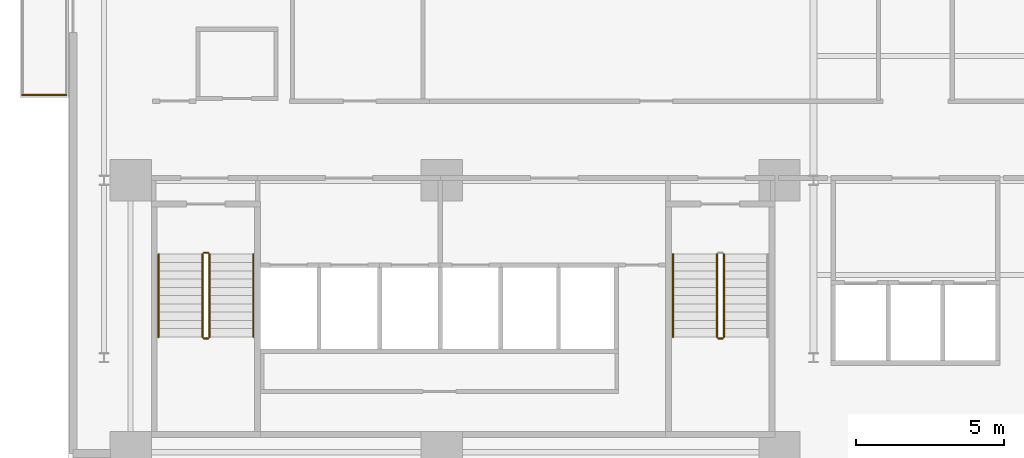
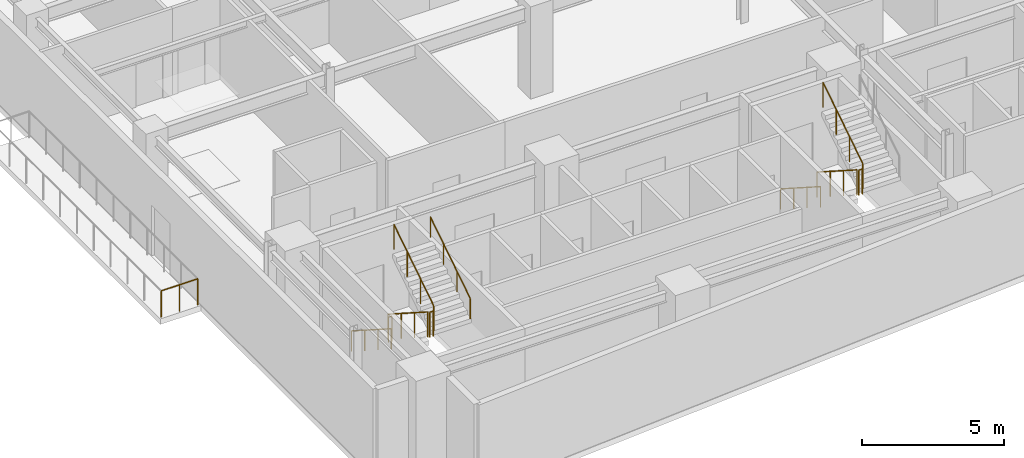
# One storey, part 17 of 22: 11 railings.
"""IFC4 building model written with IfcOpenShell, lengths in metres."""

from ifc_helpers import new_model, si_unit, direction, frame, origin, origin_2d, place, context, subcontext, project, spatial, circle, extrude, material, type_object, element, save


model = new_model("IFC4")

# Units and contexts
model_context = context("Model", 3, precision=1e-05, world=origin(), true_north=direction((0.0, 1.0)))
body_context = subcontext(model_context, "Body", "Model", "MODEL_VIEW")
ifc_project = project(units=[si_unit("LENGTHUNIT", "METRE"), si_unit("AREAUNIT", "SQUARE_METRE"), si_unit("VOLUMEUNIT", "CUBIC_METRE"), si_unit("PLANEANGLEUNIT", "RADIAN"), si_unit("MASSUNIT", "GRAM", prefix="KILO")], contexts=[model_context])

# Site, building, storey
site_placement = place(None, origin())
site = spatial("IfcSite", under=ifc_project, at=site_placement, CompositionType="ELEMENT")
building_placement = place(site_placement, origin())
building = spatial("IfcBuilding", under=site, at=building_placement, Name="Varnakote Quay Hospital", CompositionType="ELEMENT")
storey_placement = place(building_placement, frame((0.0, 0.0, 65.949951171875)))
storey = spatial("IfcBuildingStorey", under=building, at=storey_placement, Name="L16", CompositionType="ELEMENT", Elevation=65.949951171875)

# Railings
ifc_material_1 = material(Name="Anodised aluminium 6063-T6 Bronze", Category="aluminium")
railing_type_1 = type_object("IfcRailingType", Name="RLG-EXT-GUARD-1150", PredefinedType="GUARDRAIL", material=ifc_material_1)
railing_1_placement = place(storey_placement, frame((-0.075927734375, 14.8798828125, 0.0)))
element("IfcRailing", 1, at=railing_1_placement, inside=storey, type_object=railing_type_1, Name="L16 Zigzag Prow Healing Terrace Safety Guard", PredefinedType="GUARDRAIL", context=body_context, shape_type="SweptSolid", body=[
    extrude(circle(Radius=0.02392578125, at=origin_2d()), frame((0.0, 0.0, 1.1259765625), z_axis=(-1.0, 0.0, 0.0), x_axis=(0.0, -1.0, 0.0)), (0.0, 0.0, 1.0), 1.484130859375),
    extrude(circle(Radius=0.02099609375, at=origin_2d()), origin(), (0.0, 0.0, 1.0), 1.101806640625),
    extrude(circle(Radius=0.02099609375, at=origin_2d()), frame((-0.7421875, 0.0, 0.0)), (0.0, 0.0, 1.0), 1.101806640625),
    extrude(circle(Radius=0.02099609375, at=origin_2d()), frame((-1.484130859375, 0.0, 0.0)), (0.0, 0.0, 1.0), 1.101806640625),
])
ifc_material_2 = material(Name="Brushed stainless steel balustrade", Category="steel")
railing_type_2 = type_object("IfcRailingType", Name="RLG-STAIR-GUARD-1150", PredefinedType="GUARDRAIL", material=ifc_material_2)
railing_2_placement = place(storey_placement, frame((4.530029296875, 9.5, 0.1796875)))
element("IfcRailing", 2, at=railing_2_placement, inside=storey, type_object=railing_type_2, Name="L16 ST-01 stair guard 1", PredefinedType="GUARDRAIL", context=body_context, shape_type="SweptSolid", body=[
    extrude(circle(Radius=0.02392578125, at=origin_2d()), frame((0.0, 0.0, 1.076171875), z_axis=(0.0, -0.841809871826, 0.539774156196), x_axis=(1.0, 0.0, 0.0)), (0.0, 0.0, 1.0), 3.326171875),
    extrude(circle(Radius=0.02099609375, at=origin_2d()), origin(), (0.0, 0.0, 1.0), 1.052001953125),
    extrude(circle(Radius=0.02099609375, at=origin_2d()), frame((0.0, -0.933349609375, 0.598388671875)), (0.0, 0.0, 1.0), 1.052001953125),
    extrude(circle(Radius=0.02099609375, at=origin_2d()), frame((0.0, -1.86669921875, 1.197021484375)), (0.0, 0.0, 1.0), 1.052001953125),
    extrude(circle(Radius=0.02099609375, at=origin_2d()), frame((0.0, -2.800048828125, 1.79541015625)), (0.0, 0.0, 1.0), 1.052001953125),
])
railing_3_placement = place(storey_placement, frame((4.580078125, 6.64990234375, 1.97509765625)))
element("IfcRailing", 3, at=railing_3_placement, inside=storey, type_object=railing_type_2, Name="L16 ST-01 stair guard 2", PredefinedType="GUARDRAIL", context=body_context, shape_type="SweptSolid", body=[
    extrude(circle(Radius=0.02392578125, at=origin_2d()), frame((0.0, 0.0, 1.076171875), z_axis=(1.0, 0.0, 0.0), x_axis=(0.0, 1.0, 0.0)), (0.0, 0.0, 1.0), 0.139892578125),
    extrude(circle(Radius=0.02099609375, at=origin_2d()), origin(), (0.0, 0.0, 1.0), 1.052001953125),
    extrude(circle(Radius=0.02099609375, at=origin_2d()), frame((0.139892578125, 0.0, 0.0)), (0.0, 0.0, 1.0), 1.052001953125),
])
railing_4_placement = place(storey_placement, frame((4.77001953125, 6.699951171875, 2.154541015625)))
element("IfcRailing", 4, at=railing_4_placement, inside=storey, type_object=railing_type_2, Name="L16 ST-01 stair guard 3", PredefinedType="GUARDRAIL", context=body_context, shape_type="SweptSolid", body=[
    extrude(circle(Radius=0.02392578125, at=origin_2d()), frame((0.0, 0.0, 1.076171875), z_axis=(0.0, 0.841809871826, 0.539774156196), x_axis=(-1.0, 0.0, 0.0)), (0.0, 0.0, 1.0), 3.326171875),
    extrude(circle(Radius=0.02099609375, at=origin_2d()), origin(), (0.0, 0.0, 1.0), 1.052001953125),
    extrude(circle(Radius=0.02099609375, at=origin_2d()), frame((0.0, 0.933349609375, 0.598388671875)), (0.0, 0.0, 1.0), 1.052001953125),
    extrude(circle(Radius=0.02099609375, at=origin_2d()), frame((0.0, 1.86669921875, 1.197021484375)), (0.0, 0.0, 1.0), 1.052001953125),
    extrude(circle(Radius=0.02099609375, at=origin_2d()), frame((0.0, 2.800048828125, 1.79541015625)), (0.0, 0.0, 1.0), 1.052001953125),
])
railing_5_placement = place(storey_placement, frame((4.580078125, 9.550048828125, 0.0)))
element("IfcRailing", 5, at=railing_5_placement, inside=storey, type_object=railing_type_2, Name="L16 ST-01 stair guard 4", PredefinedType="GUARDRAIL", context=body_context, shape_type="SweptSolid", body=[
    extrude(circle(Radius=0.02392578125, at=origin_2d()), frame((0.0, 0.0, 1.076171875), z_axis=(1.0, 0.0, 0.0), x_axis=(0.0, 1.0, 0.0)), (0.0, 0.0, 1.0), 0.139892578125),
    extrude(circle(Radius=0.02099609375, at=origin_2d()), origin(), (0.0, 0.0, 1.0), 1.052001953125),
    extrude(circle(Radius=0.02099609375, at=origin_2d()), frame((0.139892578125, 0.0, 0.0)), (0.0, 0.0, 1.0), 1.052001953125),
])
railing_6_placement = place(storey_placement, frame((21.929931640625, 9.5, 0.1796875)))
element("IfcRailing", 6, at=railing_6_placement, inside=storey, type_object=railing_type_2, Name="L16 ST-02 stair guard 1", PredefinedType="GUARDRAIL", context=body_context, shape_type="SweptSolid", body=[
    extrude(circle(Radius=0.02392578125, at=origin_2d()), frame((0.0, 0.0, 1.076171875), z_axis=(0.0, -0.841809871826, 0.539774156196), x_axis=(1.0, 0.0, 0.0)), (0.0, 0.0, 1.0), 3.326171875),
    extrude(circle(Radius=0.02099609375, at=origin_2d()), origin(), (0.0, 0.0, 1.0), 1.052001953125),
    extrude(circle(Radius=0.02099609375, at=origin_2d()), frame((0.0, -0.933349609375, 0.598388671875)), (0.0, 0.0, 1.0), 1.052001953125),
    extrude(circle(Radius=0.02099609375, at=origin_2d()), frame((0.0, -1.86669921875, 1.197021484375)), (0.0, 0.0, 1.0), 1.052001953125),
    extrude(circle(Radius=0.02099609375, at=origin_2d()), frame((0.0, -2.800048828125, 1.79541015625)), (0.0, 0.0, 1.0), 1.052001953125),
])
railing_7_placement = place(storey_placement, frame((21.97998046875, 6.64990234375, 1.97509765625)))
element("IfcRailing", 7, at=railing_7_placement, inside=storey, type_object=railing_type_2, Name="L16 ST-02 stair guard 2", PredefinedType="GUARDRAIL", context=body_context, shape_type="SweptSolid", body=[
    extrude(circle(Radius=0.02392578125, at=origin_2d()), frame((0.0, 0.0, 1.076171875), z_axis=(1.0, 0.0, 0.0), x_axis=(0.0, 1.0, 0.0)), (0.0, 0.0, 1.0), 0.14013671875),
    extrude(circle(Radius=0.02099609375, at=origin_2d()), origin(), (0.0, 0.0, 1.0), 1.052001953125),
    extrude(circle(Radius=0.02099609375, at=origin_2d()), frame((0.14013671875, 0.0, 0.0)), (0.0, 0.0, 1.0), 1.052001953125),
])
railing_8_placement = place(storey_placement, frame((22.169921875, 6.699951171875, 2.154541015625)))
element("IfcRailing", 8, at=railing_8_placement, inside=storey, type_object=railing_type_2, Name="L16 ST-02 stair guard 3", PredefinedType="GUARDRAIL", context=body_context, shape_type="SweptSolid", body=[
    extrude(circle(Radius=0.02392578125, at=origin_2d()), frame((0.0, 0.0, 1.076171875), z_axis=(0.0, 0.841809871826, 0.539774156196), x_axis=(-1.0, 0.0, 0.0)), (0.0, 0.0, 1.0), 3.326171875),
    extrude(circle(Radius=0.02099609375, at=origin_2d()), origin(), (0.0, 0.0, 1.0), 1.052001953125),
    extrude(circle(Radius=0.02099609375, at=origin_2d()), frame((0.0, 0.933349609375, 0.598388671875)), (0.0, 0.0, 1.0), 1.052001953125),
    extrude(circle(Radius=0.02099609375, at=origin_2d()), frame((0.0, 1.86669921875, 1.197021484375)), (0.0, 0.0, 1.0), 1.052001953125),
    extrude(circle(Radius=0.02099609375, at=origin_2d()), frame((0.0, 2.800048828125, 1.79541015625)), (0.0, 0.0, 1.0), 1.052001953125),
])
ifc_material_3 = material(Name="Brushed stainless steel handrail", Category="steel")
railing_type_3 = type_object("IfcRailingType", Name="RLG-STAIR-HND-920", PredefinedType="HANDRAIL", material=ifc_material_3)
railing_9_placement = place(storey_placement, frame((3.050048828125, 9.5, 0.1796875)))
element("IfcRailing", 9, at=railing_9_placement, inside=storey, type_object=railing_type_3, Name="L16 ST-01 stair handrail 1", PredefinedType="HANDRAIL", context=body_context, shape_type="SweptSolid", body=[
    extrude(circle(Radius=0.02392578125, at=origin_2d()), frame((0.0, 0.0, 0.8759765625), z_axis=(0.0, -0.841809871826, 0.539774156196), x_axis=(1.0, 0.0, 0.0)), (0.0, 0.0, 1.0), 3.326171875),
    extrude(circle(Radius=0.02099609375, at=origin_2d()), origin(), (0.0, 0.0, 1.0), 0.851806640625),
    extrude(circle(Radius=0.02099609375, at=origin_2d()), frame((0.0, -0.933349609375, 0.598388671875)), (0.0, 0.0, 1.0), 0.851806640625),
    extrude(circle(Radius=0.02099609375, at=origin_2d()), frame((0.0, -1.86669921875, 1.197021484375)), (0.0, 0.0, 1.0), 0.851806640625),
    extrude(circle(Radius=0.02099609375, at=origin_2d()), frame((0.0, -2.800048828125, 1.79541015625)), (0.0, 0.0, 1.0), 0.851806640625),
])
railing_10_placement = place(storey_placement, frame((6.25, 6.699951171875, 2.154541015625)))
element("IfcRailing", 10, at=railing_10_placement, inside=storey, type_object=railing_type_3, Name="L16 ST-01 stair handrail 2", PredefinedType="HANDRAIL", context=body_context, shape_type="SweptSolid", body=[
    extrude(circle(Radius=0.02392578125, at=origin_2d()), frame((0.0, 0.0, 0.8759765625), z_axis=(0.0, 0.841809871826, 0.539774156196), x_axis=(-1.0, 0.0, 0.0)), (0.0, 0.0, 1.0), 3.326171875),
    extrude(circle(Radius=0.02099609375, at=origin_2d()), origin(), (0.0, 0.0, 1.0), 0.851806640625),
    extrude(circle(Radius=0.02099609375, at=origin_2d()), frame((0.0, 0.933349609375, 0.598388671875)), (0.0, 0.0, 1.0), 0.851806640625),
    extrude(circle(Radius=0.02099609375, at=origin_2d()), frame((0.0, 1.86669921875, 1.197021484375)), (0.0, 0.0, 1.0), 0.851806640625),
    extrude(circle(Radius=0.02099609375, at=origin_2d()), frame((0.0, 2.800048828125, 1.79541015625)), (0.0, 0.0, 1.0), 0.851806640625),
])
railing_11_placement = place(storey_placement, frame((20.449951171875, 9.5, 0.1796875)))
element("IfcRailing", 11, at=railing_11_placement, inside=storey, type_object=railing_type_3, Name="L16 ST-02 stair handrail 1", PredefinedType="HANDRAIL", context=body_context, shape_type="SweptSolid", body=[
    extrude(circle(Radius=0.02392578125, at=origin_2d()), frame((0.0, 0.0, 0.8759765625), z_axis=(0.0, -0.841809871826, 0.539774156196), x_axis=(1.0, 0.0, 0.0)), (0.0, 0.0, 1.0), 3.326171875),
    extrude(circle(Radius=0.02099609375, at=origin_2d()), origin(), (0.0, 0.0, 1.0), 0.851806640625),
    extrude(circle(Radius=0.02099609375, at=origin_2d()), frame((0.0, -0.933349609375, 0.598388671875)), (0.0, 0.0, 1.0), 0.851806640625),
    extrude(circle(Radius=0.02099609375, at=origin_2d()), frame((0.0, -1.86669921875, 1.197021484375)), (0.0, 0.0, 1.0), 0.851806640625),
    extrude(circle(Radius=0.02099609375, at=origin_2d()), frame((0.0, -2.800048828125, 1.79541015625)), (0.0, 0.0, 1.0), 0.851806640625),
])

save(model, "model.ifc")
